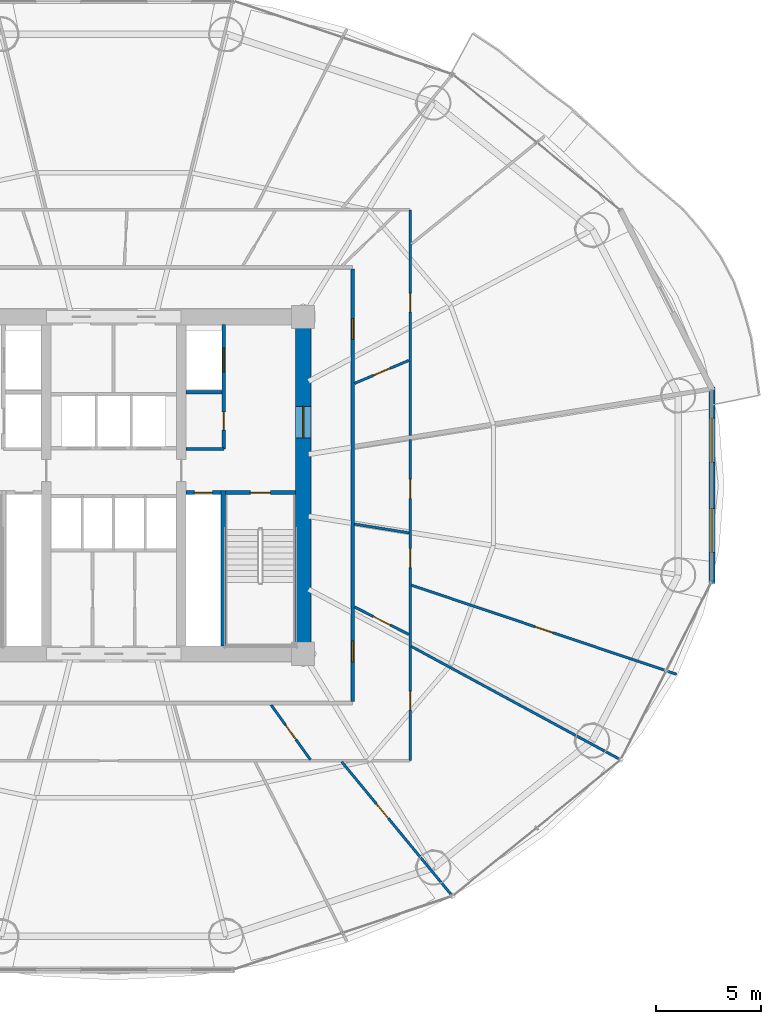
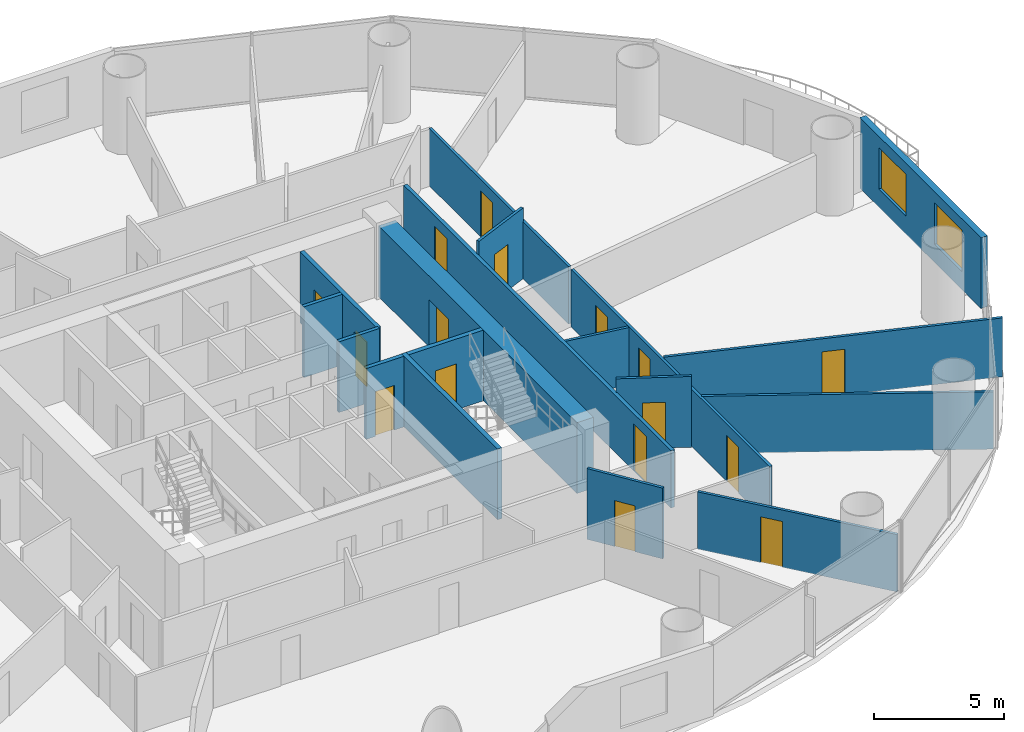
# One storey, part 23 of 28: 18 walls, 16 doors, 2 windows, 18 openings.
"""IFC4 building model written with IfcOpenShell, lengths in metres."""

from ifc_helpers import new_model, si_unit, direction, frame, frame_2d, origin, place, context, subcontext, project, spatial, rectangle, extrude, source, transform, mapped, material, layer, layer_set, type_object, element, fill, save


model = new_model("IFC4")

# Units and contexts
model_context = context("Model", 3, precision=1e-05, world=origin(), true_north=direction((-0.2419218956, 0.970295726276)))
body_context = subcontext(model_context, "Body", "Model", "MODEL_VIEW")
ifc_project = project(units=[si_unit("LENGTHUNIT", "METRE"), si_unit("AREAUNIT", "SQUARE_METRE"), si_unit("VOLUMEUNIT", "CUBIC_METRE"), si_unit("PLANEANGLEUNIT", "RADIAN"), si_unit("MASSUNIT", "GRAM", prefix="KILO")], contexts=[model_context])

# Site, building, storey
site_placement = place(None, origin())
site = spatial("IfcSite", under=ifc_project, at=site_placement, CompositionType="ELEMENT")
building_placement = place(site_placement, origin())
building = spatial("IfcBuilding", under=site, at=building_placement, Name="Cobrevalo Terracotta Tower", CompositionType="ELEMENT")
storey_placement = place(building_placement, frame((0.0, 0.0, 42.0)))
storey = spatial("IfcBuildingStorey", under=building, at=storey_placement, Name="L10", CompositionType="ELEMENT", Elevation=42.0)

# Wall, opening, door
ifc_material_1 = material(Name="Concrete C60", Category="concrete")
ifc_layer_1 = layer(ifc_material_1, 0.75)
ifc_layer_set_1 = layer_set([ifc_layer_1], Name="Concrete C60")
wall_type_1 = type_object("IfcWallType", Name="Core shear wall 750 mm Concrete C60", PredefinedType="SHEAR", material=ifc_layer_set_1)
wall_1_placement = place(storey_placement, frame((47.0, 19.175048828125, 0.0), z_axis=(0.0, 0.0, 1.0), x_axis=(0.0, 1.0, 0.0)))
wall_1 = element("IfcWall", 1, at=wall_1_placement, inside=storey, type_object=wall_type_1, Name="L10 east core shear wall", PredefinedType="SHEAR", context=body_context, shape_type="SweptSolid", body=[
    extrude(rectangle(XDim=15.25, YDim=0.75, at=frame_2d((7.625, 0.0))), origin(), (0.0, 0.0, 1.0), 3.320068359375),
])
opening_1_placement = place(wall_1_placement, frame((9.875, 0.0, 0.0)))
opening_1 = element("IfcOpeningElement", 2, at=opening_1_placement, cuts=wall_1, Name="Opening ID-14", PredefinedType="OPENING", context=body_context, shape_type="SweptSolid", body=[
    extrude(rectangle(XDim=1.5, YDim=2.199951171875, at=frame_2d((0.75, 1.10009765625))), frame((0.0, 0.385009765625, 0.0), z_axis=(0.0, -1.0, 0.0), x_axis=(1.0, 0.0, 0.0)), (0.0, 0.0, 1.0), 0.77001953125),
])
ifc_material_2 = material(Name="Galvanized fire-rated steel", Category="steel")
door_type_1 = type_object("IfcDoorType", Name="Core cross-lobby double fire door 1500x2200 EI 90", OperationType="NOTDEFINED", PredefinedType="DOOR", material=ifc_material_2)
shared_shape_1 = source(origin(), body_context, "Body", "SweptSolid", [
    extrude(rectangle(XDim=1.5, YDim=2.199951171875, at=frame_2d((0.75, 1.10009765625))), frame((0.0, 0.02490234375, 0.0), z_axis=(0.0, -1.0, 0.0), x_axis=(1.0, 0.0, 0.0)), (0.0, 0.0, 1.0), 0.050048828125),
])
door_1_placement = place(opening_1_placement, frame((1.5, 0.0, 0.0), z_axis=(0.0, 0.0, 1.0), x_axis=(-1.0, 0.0, 0.0)))
door_1 = element("IfcDoor", 3, at=door_1_placement, inside=storey, type_object=door_type_1, Name="L10 east firefighting lobby entrance door", OperationType="DOUBLE_DOOR_SINGLE_SWING", OverallHeight=2.199951171875, OverallWidth=1.5, PredefinedType="DOOR", context=body_context, shape_type="MappedRepresentation", body=[
    mapped(shared_shape_1, transform((0.0, 0.0, 0.0), scale=1.0)),
])
fill(opening_1, door_1)

# Walls
ifc_material_3 = material(Name="Gypsum board on steel stud", Category="steel")
ifc_layer_2 = layer(ifc_material_3, 0.159912109375)
ifc_layer_set_2 = layer_set([ifc_layer_2], Name="Gypsum board on steel stud")
wall_type_2 = type_object("IfcWallType", Name="Fire-rated corridor acoustic partition wall 160 mm", PredefinedType="PARTITIONING", material=ifc_layer_set_2)
wall_2_placement = place(storey_placement, frame((41.425048828125, 31.219970703125, 0.0), z_axis=(0.0, 0.0, 1.0), x_axis=(1.0, 0.0, 0.0)))
element("IfcWall", 4, at=wall_2_placement, inside=storey, type_object=wall_type_2, Name="L10 interior partition IW-L10-FF2-M", PredefinedType="PARTITIONING", context=body_context, shape_type="SweptSolid", body=[
    extrude(rectangle(XDim=1.71484375, YDim=0.159912109375, at=frame_2d((0.857421875, 0.0))), origin(), (0.0, 0.0, 1.0), 3.320068359375),
])
wall_3_placement = place(storey_placement, frame((41.425048828125, 28.52001953125, 0.0), z_axis=(0.0, 0.0, 1.0), x_axis=(1.0, 0.0, 0.0)))
element("IfcWall", 5, at=wall_3_placement, inside=storey, type_object=wall_type_2, Name="L10 interior partition IW-L10-FF2-S", PredefinedType="PARTITIONING", context=body_context, shape_type="SweptSolid", body=[
    extrude(rectangle(XDim=1.804931640625, YDim=0.159912109375, at=frame_2d((0.90234375, 0.0))), origin(), (0.0, 0.0, 1.0), 3.320068359375),
])

# Wall, openings, doors
wall_4_placement = place(storey_placement, frame((49.35498046875, 16.52490234375, 0.0), z_axis=(0.0, 0.0, 1.0), x_axis=(0.0, 1.0, 0.0)))
wall_4 = element("IfcWall", 6, at=wall_4_placement, inside=storey, type_object=wall_type_2, Name="L10 interior partition IW-L10-COR-E", PredefinedType="PARTITIONING", context=body_context, shape_type="SweptSolid", body=[
    extrude(rectangle(XDim=20.550048828125, YDim=0.159912109375, at=frame_2d((10.27490234375, 0.0))), origin(), (0.0, 0.0, 1.0), 2.68798828125),
])
opening_2_placement = place(wall_4_placement, frame((17.20654296875, 0.0, 0.0)))
opening_2 = element("IfcOpeningElement", 7, at=opening_2_placement, cuts=wall_4, Name="Opening ID-05", PredefinedType="OPENING", context=body_context, shape_type="SweptSolid", body=[
    extrude(rectangle(XDim=0.97998046875, YDim=2.199951171875, at=frame_2d((0.489990234375, 1.10009765625))), frame((0.0, 0.08984375, 0.0), z_axis=(0.0, -1.0, 0.0), x_axis=(1.0, 0.0, 0.0)), (0.0, 0.0, 1.0), 0.179931640625),
])
opening_3_placement = place(wall_4_placement, frame((1.89208984375, 0.0, 0.0)))
opening_3 = element("IfcOpeningElement", 8, at=opening_3_placement, cuts=wall_4, Name="Opening ID-05", PredefinedType="OPENING", context=body_context, shape_type="SweptSolid", body=[
    extrude(rectangle(XDim=0.97998046875, YDim=2.199951171875, at=frame_2d((0.489990234375, 1.10009765625))), frame((0.0, 0.08984375, 0.0), z_axis=(0.0, -1.0, 0.0), x_axis=(1.0, 0.0, 0.0)), (0.0, 0.0, 1.0), 0.179931640625),
])
ifc_material_4 = material(Name="Solid hardwood timber", Category="wood")
door_type_2 = type_object("IfcDoorType", Name="Residence entrance fire-rated acoustic timber door 980x2200 EI 60", OperationType="NOTDEFINED", PredefinedType="DOOR", material=ifc_material_4)
shared_shape_2 = source(origin(), body_context, "Body", "SweptSolid", [
    extrude(rectangle(XDim=0.97998046875, YDim=2.199951171875, at=frame_2d((0.489990234375, 1.10009765625))), frame((0.0, 0.02490234375, 0.0), z_axis=(0.0, -1.0, 0.0), x_axis=(1.0, 0.0, 0.0)), (0.0, 0.0, 1.0), 0.050048828125),
])
door_2_placement = place(opening_2_placement, frame((0.97998046875, 0.0, 0.0), z_axis=(0.0, 0.0, 1.0), x_axis=(-1.0, 0.0, 0.0)))
door_2 = element("IfcDoor", 9, at=door_2_placement, inside=storey, type_object=door_type_2, Name="Flat L10A fire-rated apartment entrance door", OperationType="SINGLE_SWING_LEFT", OverallHeight=2.199951171875, OverallWidth=0.97998046875, PredefinedType="DOOR", context=body_context, shape_type="MappedRepresentation", body=[
    mapped(shared_shape_2, transform((0.0, 0.0, 0.0), scale=1.0)),
])
fill(opening_2, door_2)
door_3_placement = place(opening_3_placement, frame((0.97998046875, 0.0, 0.0), z_axis=(0.0, 0.0, 1.0), x_axis=(-1.0, 0.0, 0.0)))
door_3 = element("IfcDoor", 10, at=door_3_placement, inside=storey, type_object=door_type_2, Name="Flat L10C fire-rated apartment entrance door", OperationType="SINGLE_SWING_LEFT", OverallHeight=2.199951171875, OverallWidth=0.97998046875, PredefinedType="DOOR", context=body_context, shape_type="MappedRepresentation", body=[
    mapped(shared_shape_2, transform((0.0, 0.0, 0.0), scale=1.0)),
])
fill(opening_3, door_3)

# Wall, opening, door
ifc_layer_3 = layer(ifc_material_3, 0.179931640625)
ifc_layer_set_3 = layer_set([ifc_layer_3], Name="Gypsum board on steel stud")
wall_type_3 = type_object("IfcWallType", Name="Fire-rated shaft & lobby acoustic partition wall 180 mm", PredefinedType="PARTITIONING", material=ifc_layer_set_3)
wall_5_placement = place(storey_placement, frame((41.425048828125, 26.449951171875, 0.0), z_axis=(0.0, 0.0, 1.0), x_axis=(1.0, 0.0, 0.0)))
wall_5 = element("IfcWall", 11, at=wall_5_placement, inside=storey, type_object=wall_type_3, Name="L10 interior partition IW-L10-RSE-N", PredefinedType="PARTITIONING", context=body_context, shape_type="SweptSolid", body=[
    extrude(rectangle(XDim=1.675048828125, YDim=0.179931640625, at=frame_2d((0.83740234375, 0.0))), origin(), (0.0, 0.0, 1.0), 3.320068359375),
])
opening_4_placement = place(wall_5_placement, frame((0.41259765625, 0.0, 0.0)))
opening_4 = element("IfcOpeningElement", 12, at=opening_4_placement, cuts=wall_5, Name="Opening ID-22", PredefinedType="OPENING", context=body_context, shape_type="SweptSolid", body=[
    extrude(rectangle(XDim=0.85009765625, YDim=2.10009765625, at=frame_2d((0.425048828125, 1.050048828125))), frame((0.0, 0.10009765625, 0.0), z_axis=(0.0, -1.0, 0.0), x_axis=(1.0, 0.0, 0.0)), (0.0, 0.0, 1.0), 0.199951171875),
])
ifc_material_5 = material(Name="Powder-coated steel", Category="steel")
door_type_3 = type_object("IfcDoorType", Name="Riser shaft & meter closet fire access door 850x2100 EI 60", OperationType="NOTDEFINED", PredefinedType="DOOR", material=ifc_material_5)
shared_shape_3 = source(origin(), body_context, "Body", "SweptSolid", [
    extrude(rectangle(XDim=0.85009765625, YDim=2.10009765625, at=frame_2d((0.425048828125, 1.050048828125))), frame((0.0, 0.02490234375, 0.0), z_axis=(0.0, -1.0, 0.0), x_axis=(1.0, 0.0, 0.0)), (0.0, 0.0, 1.0), 0.050048828125),
])
door_4_placement = place(opening_4_placement, origin())
door_4 = element("IfcDoor", 13, at=door_4_placement, inside=storey, type_object=door_type_3, Name="L10 riser access door RSE", OperationType="SINGLE_SWING_RIGHT", OverallHeight=2.10009765625, OverallWidth=0.85009765625, PredefinedType="DOOR", context=body_context, shape_type="MappedRepresentation", body=[
    mapped(shared_shape_3, transform((0.0, 0.0, 0.0), scale=1.0)),
])
fill(opening_4, door_4)

# Wall, openings, doors
wall_6_placement = place(storey_placement, frame((43.22998046875, 28.52001953125, 0.0), z_axis=(0.0, 0.0, 1.0), x_axis=(0.0, 1.0, 0.0)))
wall_6 = element("IfcWall", 14, at=wall_6_placement, inside=storey, type_object=wall_type_3, Name="L10 interior partition IW-L10-FF2-E", PredefinedType="PARTITIONING", context=body_context, shape_type="SweptSolid", body=[
    extrude(rectangle(XDim=5.905029296875, YDim=0.179931640625, at=frame_2d((2.95263671875, 0.0))), origin(), (0.0, 0.0, 1.0), 3.320068359375),
])
opening_5_placement = place(wall_6_placement, frame((0.905029296875, 0.0, 0.0)))
opening_5 = element("IfcOpeningElement", 15, at=opening_5_placement, cuts=wall_6, Name="Opening ID-22", PredefinedType="OPENING", context=body_context, shape_type="SweptSolid", body=[
    extrude(rectangle(XDim=0.85009765625, YDim=2.10009765625, at=frame_2d((0.425048828125, 1.050048828125))), frame((0.0, 0.10009765625, 0.0), z_axis=(0.0, -1.0, 0.0), x_axis=(1.0, 0.0, 0.0)), (0.0, 0.0, 1.0), 0.199951171875),
])
opening_6_placement = place(wall_6_placement, frame((3.655029296875, 0.0, 0.0)))
opening_6 = element("IfcOpeningElement", 16, at=opening_6_placement, cuts=wall_6, Name="Opening LD-02", PredefinedType="OPENING", context=body_context, shape_type="SweptSolid", body=[
    extrude(rectangle(XDim=1.14990234375, YDim=2.199951171875, at=frame_2d((0.574951171875, 1.10009765625))), frame((0.0, 0.10009765625, 0.0), z_axis=(0.0, -1.0, 0.0), x_axis=(1.0, 0.0, 0.0)), (0.0, 0.0, 1.0), 0.199951171875),
])
door_5_placement = place(opening_5_placement, frame((0.85009765625, 0.0, 0.0), z_axis=(0.0, 0.0, 1.0), x_axis=(-1.0, 0.0, 0.0)))
door_5 = element("IfcDoor", 17, at=door_5_placement, inside=storey, type_object=door_type_3, Name="L10 housekeeping store door", OperationType="SINGLE_SWING_RIGHT", OverallHeight=2.10009765625, OverallWidth=0.85009765625, PredefinedType="DOOR", context=body_context, shape_type="MappedRepresentation", body=[
    mapped(shared_shape_3, transform((0.0, 0.0, 0.0), scale=1.0)),
])
fill(opening_5, door_5)
ifc_material_6 = material(Name="Brushed stainless steel", Category="steel")
door_type_4 = type_object("IfcDoorType", Name="Firefighting lift landing bi-parting sliding door 1150x2200 EI 120", OperationType="DOUBLE_DOOR_SLIDING", PredefinedType="DOOR", material=ifc_material_6)
shared_shape_4 = source(origin(), body_context, "Body", "SweptSolid", [
    extrude(rectangle(XDim=1.14990234375, YDim=2.199951171875, at=frame_2d((0.574951171875, 1.10009765625))), frame((0.0, 0.02490234375, 0.0), z_axis=(0.0, -1.0, 0.0), x_axis=(1.0, 0.0, 0.0)), (0.0, 0.0, 1.0), 0.050048828125),
])
door_6_placement = place(opening_6_placement, origin())
door_6 = element("IfcDoor", 18, at=door_6_placement, inside=storey, type_object=door_type_4, Name="L10 lift landing door FF-2", OperationType="DOUBLE_DOOR_SLIDING", OverallHeight=2.199951171875, OverallWidth=1.14990234375, PredefinedType="DOOR", context=body_context, shape_type="MappedRepresentation", body=[
    mapped(shared_shape_4, transform((0.0, 0.0, 0.0), scale=1.0)),
])
fill(opening_6, door_6)

# Wall, openings, windows
ifc_material_7 = material(Name="Autoclaved aerated concrete block", Category="concrete")
ifc_layer_4 = layer(ifc_material_7, 0.280029296875)
ifc_layer_set_4 = layer_set([ifc_layer_4], Name="Autoclaved aerated concrete block")
wall_type_4 = type_object("IfcWallType", Name="Insulated tower spandrel & pier wall 280 mm with terracotta rainscreen", PredefinedType="SOLIDWALL", material=ifc_layer_set_4)
wall_7_placement = place(storey_placement, frame((66.413330078125, 22.14111328125, 0.0), z_axis=(0.0, 0.0, 1.0), x_axis=(0.0, 1.0, 0.0)))
wall_7 = element("IfcWall", 19, at=wall_7_placement, inside=storey, type_object=wall_type_4, Name="L10 terracotta rainscreen pier wall S16", PredefinedType="SOLIDWALL", context=body_context, shape_type="SweptSolid", body=[
    extrude(rectangle(XDim=9.317626953125, YDim=0.280029296875, at=frame_2d((4.65869140625, 0.0))), origin(), (0.0, 0.0, 1.0), 3.320068359375),
])
opening_7_placement = place(wall_7_placement, frame((1.4658203125, 0.0, 0.85009765625)))
opening_7 = element("IfcOpeningElement", 20, at=opening_7_placement, cuts=wall_7, Name="Opening WN-10", PredefinedType="OPENING", context=body_context, shape_type="SweptSolid", body=[
    extrude(rectangle(XDim=2.10009765625, YDim=1.949951171875, at=frame_2d((1.050048828125, 0.97509765625))), frame((0.0, 0.14990234375, 0.0), z_axis=(0.0, -1.0, 0.0), x_axis=(1.0, 0.0, 0.0)), (0.0, 0.0, 1.0), 0.300048828125),
])
opening_8_placement = place(wall_7_placement, frame((5.751708984375, 0.0, 0.85009765625)))
opening_8 = element("IfcOpeningElement", 21, at=opening_8_placement, cuts=wall_7, Name="Opening WN-10", PredefinedType="OPENING", context=body_context, shape_type="SweptSolid", body=[
    extrude(rectangle(XDim=2.10009765625, YDim=1.949951171875, at=frame_2d((1.050048828125, 0.97509765625))), frame((0.0, 0.14990234375, 0.0), z_axis=(0.0, -1.0, 0.0), x_axis=(1.0, 0.0, 0.0)), (0.0, 0.0, 1.0), 0.300048828125),
])
ifc_material_8 = material(Name="Solar-control low-E double glazing", Category="glass")
window_type = type_object("IfcWindowType", Name="Wide panoramic low-E aluminium window 2100x1950", PartitioningType="SINGLE_PANEL", PredefinedType="WINDOW", material=ifc_material_8)
shared_shape_5 = source(origin(), body_context, "Body", "SweptSolid", [
    extrude(rectangle(XDim=2.10009765625, YDim=1.949951171875, at=frame_2d((1.050048828125, 0.97509765625))), frame((0.0, 0.030029296875, 0.0), z_axis=(0.0, -1.0, 0.0), x_axis=(1.0, 0.0, 0.0)), (0.0, 0.0, 1.0), 0.06005859375),
])
window_1_placement = place(opening_7_placement, origin())
window_1 = element("IfcWindow", 22, at=window_1_placement, inside=storey, type_object=window_type, Name="L10 suite window S16A", OverallHeight=1.949951171875, OverallWidth=2.10009765625, PartitioningType="SINGLE_PANEL", PredefinedType="WINDOW", context=body_context, shape_type="MappedRepresentation", body=[
    mapped(shared_shape_5, transform((0.0, 0.0, 0.0), scale=1.0)),
])
fill(opening_7, window_1)
window_2_placement = place(opening_8_placement, origin())
window_2 = element("IfcWindow", 23, at=window_2_placement, inside=storey, type_object=window_type, Name="L10 suite window S16B", OverallHeight=1.949951171875, OverallWidth=2.10009765625, PartitioningType="SINGLE_PANEL", PredefinedType="WINDOW", context=body_context, shape_type="MappedRepresentation", body=[
    mapped(shared_shape_5, transform((0.0, 0.0, 0.0), scale=1.0)),
])
fill(opening_8, window_2)

# Wall, opening, door
ifc_layer_5 = layer(ifc_material_3, 0.1201171875)
ifc_layer_set_5 = layer_set([ifc_layer_5], Name="Gypsum board on steel stud")
wall_type_5 = type_object("IfcWallType", Name="Residential internal acoustic stud partition 120 mm", PredefinedType="PARTITIONING", material=ifc_layer_set_5)
wall_8_placement = place(storey_placement, frame((52.0849609375, 39.885009765625, 0.0), z_axis=(0.0, 0.0, 1.0), x_axis=(0.0, -1.0, 0.0)))
wall_8 = element("IfcWall", 24, at=wall_8_placement, inside=storey, type_object=wall_type_5, Name="L10 interior partition IW-L10-U1-RING1_0", PredefinedType="PARTITIONING", context=body_context, shape_type="SweptSolid", body=[
    extrude(rectangle(XDim=10.712646484375, YDim=0.1201171875, at=frame_2d((5.3564453125, 0.0))), origin(), (0.0, 0.0, 1.0), 2.68798828125),
])
opening_9_placement = place(wall_8_placement, frame((3.96533203125, 0.0, 0.0)))
opening_9 = element("IfcOpeningElement", 25, at=opening_9_placement, cuts=wall_8, Name="Opening ID-12", PredefinedType="OPENING", context=body_context, shape_type="SweptSolid", body=[
    extrude(rectangle(XDim=0.89990234375, YDim=2.14990234375, at=frame_2d((0.449951171875, 1.074951171875))), frame((0.0, 0.070068359375, 0.0), z_axis=(0.0, -1.0, 0.0), x_axis=(1.0, 0.0, 0.0)), (0.0, 0.0, 1.0), 0.14013671875),
])
ifc_material_9 = material(Name="Engineered timber", Category="wood")
door_type_5 = type_object("IfcDoorType", Name="Internal residence & suite timber door 900x2150", OperationType="NOTDEFINED", PredefinedType="DOOR", material=ifc_material_9)
shared_shape_6 = source(origin(), body_context, "Body", "SweptSolid", [
    extrude(rectangle(XDim=0.89990234375, YDim=2.14990234375, at=frame_2d((0.449951171875, 1.074951171875))), frame((0.0, 0.02490234375, 0.0), z_axis=(0.0, -1.0, 0.0), x_axis=(1.0, 0.0, 0.0)), (0.0, 0.0, 1.0), 0.050048828125),
])
door_7_placement = place(opening_9_placement, origin())
door_7 = element("IfcDoor", 26, at=door_7_placement, inside=storey, type_object=door_type_5, Name="Flat L10A Penthouse Living and Dining Room internal door", OperationType="SINGLE_SWING_LEFT", OverallHeight=2.14990234375, OverallWidth=0.89990234375, PredefinedType="DOOR", context=body_context, shape_type="MappedRepresentation", body=[
    mapped(shared_shape_6, transform((0.0, 0.0, 0.0), scale=1.0)),
])
fill(opening_9, door_7)

wall_9_placement = place(storey_placement, frame((49.43505859375, 31.636474609375, 0.0), z_axis=(0.0, 0.0, 1.0), x_axis=(0.920969644836, 0.389634332792, 0.0)))
wall_9 = element("IfcWall", 27, at=wall_9_placement, inside=storey, type_object=wall_type_5, Name="L10 interior partition IW-L10-U1-IRAD1", PredefinedType="PARTITIONING", context=body_context, shape_type="SweptSolid", body=[
    extrude(rectangle(XDim=2.815185546875, YDim=0.1201171875, at=frame_2d((1.40771484375, 0.0))), origin(), (0.0, 0.0, 1.0), 3.320068359375),
])
opening_10_placement = place(wall_9_placement, frame((0.9775390625, 0.0, 0.0)))
opening_10 = element("IfcOpeningElement", 28, at=opening_10_placement, cuts=wall_9, Name="Opening ID-19", PredefinedType="OPENING", context=body_context, shape_type="SweptSolid", body=[
    extrude(rectangle(XDim=0.860107421875, YDim=2.14990234375, at=frame_2d((0.43017578125, 1.074951171875))), frame((0.0, 0.070068359375, 0.0), z_axis=(0.0, -1.0, 0.0), x_axis=(1.0, 0.0, 0.0)), (0.0, 0.0, 1.0), 0.14013671875),
])
ifc_material_10 = material(Name="Moisture-sealed timber", Category="wood")
door_type_6 = type_object("IfcDoorType", Name="Suite bathroom internal timber door 860x2150", OperationType="NOTDEFINED", PredefinedType="DOOR", material=ifc_material_10)
shared_shape_7 = source(origin(), body_context, "Body", "SweptSolid", [
    extrude(rectangle(XDim=0.860107421875, YDim=2.14990234375, at=frame_2d((0.43017578125, 1.074951171875))), frame((0.0, 0.02490234375, 0.0), z_axis=(0.0, -1.0, 0.0), x_axis=(1.0, 0.0, 0.0)), (0.0, 0.0, 1.0), 0.050048828125),
])
door_8_placement = place(opening_10_placement, frame((0.860107421875, 0.0, 0.0), z_axis=(0.0, 0.0, 1.0), x_axis=(-1.0, 0.0, 0.0)))
door_8 = element("IfcDoor", 29, at=door_8_placement, inside=storey, type_object=door_type_6, Name="Flat L10A Primary Bathroom internal door", OperationType="SINGLE_SWING_RIGHT", OverallHeight=2.14990234375, OverallWidth=0.860107421875, PredefinedType="DOOR", context=body_context, shape_type="MappedRepresentation", body=[
    mapped(shared_shape_7, transform((0.0, 0.0, 0.0), scale=1.0)),
])
fill(opening_10, door_8)

# Wall, openings, doors
wall_10_placement = place(storey_placement, frame((52.0849609375, 28.96826171875, 0.0), z_axis=(0.0, 0.0, 1.0), x_axis=(0.0, -1.0, 0.0)))
wall_10 = element("IfcWall", 30, at=wall_10_placement, inside=storey, type_object=wall_type_5, Name="L10 interior partition IW-L10-U3-RING0_0", PredefinedType="PARTITIONING", context=body_context, shape_type="SweptSolid", body=[
    extrude(rectangle(XDim=15.253173828125, YDim=0.1201171875, at=frame_2d((7.62646484375, 0.0))), origin(), (0.0, 0.0, 1.0), 2.68798828125),
])
opening_11_placement = place(wall_10_placement, frame((11.9541015625, 0.0, 0.0)))
opening_11 = element("IfcOpeningElement", 31, at=opening_11_placement, cuts=wall_10, Name="Opening ID-12", PredefinedType="OPENING", context=body_context, shape_type="SweptSolid", body=[
    extrude(rectangle(XDim=0.89990234375, YDim=2.14990234375, at=frame_2d((0.449951171875, 1.074951171875))), frame((0.0, 0.070068359375, 0.0), z_axis=(0.0, -1.0, 0.0), x_axis=(1.0, 0.0, 0.0)), (0.0, 0.0, 1.0), 0.14013671875),
])
opening_12_placement = place(wall_10_placement, frame((5.182373046875, 0.0, 0.0)))
opening_12 = element("IfcOpeningElement", 32, at=opening_12_placement, cuts=wall_10, Name="Opening ID-12", PredefinedType="OPENING", context=body_context, shape_type="SweptSolid", body=[
    extrude(rectangle(XDim=0.89990234375, YDim=2.14990234375, at=frame_2d((0.449951171875, 1.074951171875))), frame((0.0, 0.070068359375, 0.0), z_axis=(0.0, -1.0, 0.0), x_axis=(1.0, 0.0, 0.0)), (0.0, 0.0, 1.0), 0.14013671875),
])
opening_13_placement = place(wall_10_placement, frame((1.88916015625, 0.0, 0.0)))
opening_13 = element("IfcOpeningElement", 33, at=opening_13_placement, cuts=wall_10, Name="Opening ID-12", PredefinedType="OPENING", context=body_context, shape_type="SweptSolid", body=[
    extrude(rectangle(XDim=0.89990234375, YDim=2.14990234375, at=frame_2d((0.449951171875, 1.074951171875))), frame((0.0, 0.070068359375, 0.0), z_axis=(0.0, -1.0, 0.0), x_axis=(1.0, 0.0, 0.0)), (0.0, 0.0, 1.0), 0.14013671875),
])
door_9_placement = place(opening_11_placement, origin())
door_9 = element("IfcDoor", 34, at=door_9_placement, inside=storey, type_object=door_type_5, Name="Flat L10C Penthouse Family Lounge internal door", OperationType="SINGLE_SWING_RIGHT", OverallHeight=2.14990234375, OverallWidth=0.89990234375, PredefinedType="DOOR", context=body_context, shape_type="MappedRepresentation", body=[
    mapped(shared_shape_6, transform((0.0, 0.0, 0.0), scale=1.0)),
])
fill(opening_11, door_9)
door_10_placement = place(opening_12_placement, origin())
door_10 = element("IfcDoor", 35, at=door_10_placement, inside=storey, type_object=door_type_5, Name="Flat L10C Penthouse Family Lounge internal door", OperationType="SINGLE_SWING_LEFT", OverallHeight=2.14990234375, OverallWidth=0.89990234375, PredefinedType="DOOR", context=body_context, shape_type="MappedRepresentation", body=[
    mapped(shared_shape_6, transform((0.0, 0.0, 0.0), scale=1.0)),
])
fill(opening_12, door_10)
door_11_placement = place(opening_13_placement, frame((0.89990234375, 0.0, 0.0), z_axis=(0.0, 0.0, 1.0), x_axis=(-1.0, 0.0, 0.0)))
door_11 = element("IfcDoor", 36, at=door_11_placement, inside=storey, type_object=door_type_5, Name="Flat L10C Home Office Study internal door", OperationType="SINGLE_SWING_RIGHT", OverallHeight=2.14990234375, OverallWidth=0.89990234375, PredefinedType="DOOR", context=body_context, shape_type="MappedRepresentation", body=[
    mapped(shared_shape_6, transform((0.0, 0.0, 0.0), scale=1.0)),
])
fill(opening_13, door_11)

# Wall, opening, door
wall_11_placement = place(storey_placement, frame((48.828857421875, 13.667236328125, 0.0), z_axis=(0.0, 0.0, 1.0), x_axis=(0.636177533893, -0.771542704826, 0.0)))
wall_11 = element("IfcWall", 37, at=wall_11_placement, inside=storey, type_object=wall_type_5, Name="L10 interior partition IW-L10-U3-ORAD2M1", PredefinedType="PARTITIONING", context=body_context, shape_type="SweptSolid", body=[
    extrude(rectangle(XDim=8.1865234375, YDim=0.1201171875, at=frame_2d((4.09326171875, 0.0))), origin(), (0.0, 0.0, 1.0), 2.68798828125),
])
opening_14_placement = place(wall_11_placement, frame((2.584228515625, 0.0, 0.0)))
opening_14 = element("IfcOpeningElement", 38, at=opening_14_placement, cuts=wall_11, Name="Opening ID-12", PredefinedType="OPENING", context=body_context, shape_type="SweptSolid", body=[
    extrude(rectangle(XDim=0.89990234375, YDim=2.14990234375, at=frame_2d((0.449951171875, 1.074951171875))), frame((0.0, 0.070068359375, 0.0), z_axis=(0.0, -1.0, 0.0), x_axis=(1.0, 0.0, 0.0)), (0.0, 0.0, 1.0), 0.14013671875),
])
door_12_placement = place(opening_14_placement, frame((0.89990234375, 0.0, 0.0), z_axis=(0.0, 0.0, 1.0), x_axis=(-1.0, 0.0, 0.0)))
door_12 = element("IfcDoor", 39, at=door_12_placement, inside=storey, type_object=door_type_5, Name="Flat L10C Master Bedroom internal door", OperationType="SINGLE_SWING_LEFT", OverallHeight=2.14990234375, OverallWidth=0.89990234375, PredefinedType="DOOR", context=body_context, shape_type="MappedRepresentation", body=[
    mapped(shared_shape_6, transform((0.0, 0.0, 0.0), scale=1.0)),
])
fill(opening_14, door_12)

# Wall
wall_12_placement = place(storey_placement, frame((52.139404296875, 19.14404296875, 0.0), z_axis=(0.0, 0.0, 1.0), x_axis=(0.879372452045, -0.476134529922, 0.0)))
element("IfcWall", 40, at=wall_12_placement, inside=storey, type_object=wall_type_5, Name="L10 interior partition IW-L10-U3-ORAD2M2", PredefinedType="PARTITIONING", context=body_context, shape_type="SweptSolid", body=[
    extrude(rectangle(XDim=11.219482421875, YDim=0.1201171875, at=frame_2d((5.60986328125, 0.0))), origin(), (0.0, 0.0, 1.0), 2.68798828125),
])

# Wall, opening, door
wall_13_placement = place(storey_placement, frame((52.143798828125, 22.052490234375, 0.0), z_axis=(0.0, 0.0, 1.0), x_axis=(0.948023034133, -0.318201707653, 0.0)))
wall_13 = element("IfcWall", 41, at=wall_13_placement, inside=storey, type_object=wall_type_5, Name="L10 interior partition IW-L10-U3-ORAD2", PredefinedType="PARTITIONING", context=body_context, shape_type="SweptSolid", body=[
    extrude(rectangle(XDim=13.27880859375, YDim=0.1201171875, at=frame_2d((6.639404296875, 0.0))), origin(), (0.0, 0.0, 1.0), 2.761962890625),
])
opening_15_placement = place(wall_13_placement, frame((6.189453125, 0.0, 0.0)))
opening_15 = element("IfcOpeningElement", 42, at=opening_15_placement, cuts=wall_13, Name="Opening ID-12", PredefinedType="OPENING", context=body_context, shape_type="SweptSolid", body=[
    extrude(rectangle(XDim=0.89990234375, YDim=2.14990234375, at=frame_2d((0.449951171875, 1.074951171875))), frame((0.0, 0.070068359375, 0.0), z_axis=(0.0, -1.0, 0.0), x_axis=(1.0, 0.0, 0.0)), (0.0, 0.0, 1.0), 0.14013671875),
])
door_13_placement = place(opening_15_placement, frame((0.89990234375, 0.0, 0.0), z_axis=(0.0, 0.0, 1.0), x_axis=(-1.0, 0.0, 0.0)))
door_13 = element("IfcDoor", 43, at=door_13_placement, inside=storey, type_object=door_type_5, Name="Flat L10C Principal Guest Bedroom internal door", OperationType="SINGLE_SWING_RIGHT", OverallHeight=2.14990234375, OverallWidth=0.89990234375, PredefinedType="DOOR", context=body_context, shape_type="MappedRepresentation", body=[
    mapped(shared_shape_6, transform((0.0, 0.0, 0.0), scale=1.0)),
])
fill(opening_15, door_13)

wall_14_placement = place(storey_placement, frame((45.479736328125, 16.364990234375, 0.0), z_axis=(0.0, 0.0, 1.0), x_axis=(0.582566008831, -0.812783393872, 0.0)))
wall_14 = element("IfcWall", 44, at=wall_14_placement, inside=storey, type_object=wall_type_5, Name="L10 interior partition IW-L10-U3-IRAD3", PredefinedType="PARTITIONING", context=body_context, shape_type="SweptSolid", body=[
    extrude(rectangle(XDim=3.198486328125, YDim=0.1201171875, at=frame_2d((1.59912109375, 0.0))), origin(), (0.0, 0.0, 1.0), 3.320068359375),
])
opening_16_placement = place(wall_14_placement, frame((1.169189453125, 0.0, 0.0)))
opening_16 = element("IfcOpeningElement", 45, at=opening_16_placement, cuts=wall_14, Name="Opening ID-19", PredefinedType="OPENING", context=body_context, shape_type="SweptSolid", body=[
    extrude(rectangle(XDim=0.860107421875, YDim=2.14990234375, at=frame_2d((0.43017578125, 1.074951171875))), frame((0.0, 0.070068359375, 0.0), z_axis=(0.0, -1.0, 0.0), x_axis=(1.0, 0.0, 0.0)), (0.0, 0.0, 1.0), 0.14013671875),
])
door_14_placement = place(opening_16_placement, frame((0.860107421875, 0.0, 0.0), z_axis=(0.0, 0.0, 1.0), x_axis=(-1.0, 0.0, 0.0)))
door_14 = element("IfcDoor", 46, at=door_14_placement, inside=storey, type_object=door_type_6, Name="Flat L10C Primary Bathroom internal door", OperationType="SINGLE_SWING_RIGHT", OverallHeight=2.14990234375, OverallWidth=0.860107421875, PredefinedType="DOOR", context=body_context, shape_type="MappedRepresentation", body=[
    mapped(shared_shape_7, transform((0.0, 0.0, 0.0), scale=1.0)),
])
fill(opening_16, door_14)

wall_15_placement = place(storey_placement, frame((49.43505859375, 21.02099609375, 0.0), z_axis=(0.0, 0.0, 1.0), x_axis=(0.892504324967, -0.451038834155, 0.0)))
wall_15 = element("IfcWall", 47, at=wall_15_placement, inside=storey, type_object=wall_type_5, Name="L10 interior partition IW-L10-U3-IRAD4", PredefinedType="PARTITIONING", context=body_context, shape_type="SweptSolid", body=[
    extrude(rectangle(XDim=2.9072265625, YDim=0.1201171875, at=frame_2d((1.45361328125, 0.0))), origin(), (0.0, 0.0, 1.0), 3.320068359375),
])
opening_17_placement = place(wall_15_placement, frame((1.003662109375, 0.0, 0.0)))
opening_17 = element("IfcOpeningElement", 48, at=opening_17_placement, cuts=wall_15, Name="Opening ID-12", PredefinedType="OPENING", context=body_context, shape_type="SweptSolid", body=[
    extrude(rectangle(XDim=0.89990234375, YDim=2.14990234375, at=frame_2d((0.449951171875, 1.074951171875))), frame((0.0, 0.070068359375, 0.0), z_axis=(0.0, -1.0, 0.0), x_axis=(1.0, 0.0, 0.0)), (0.0, 0.0, 1.0), 0.14013671875),
])
door_15_placement = place(opening_17_placement, origin())
door_15 = element("IfcDoor", 49, at=door_15_placement, inside=storey, type_object=door_type_5, Name="Flat L10C Kitchen internal door", OperationType="SINGLE_SWING_LEFT", OverallHeight=2.14990234375, OverallWidth=0.89990234375, PredefinedType="DOOR", context=body_context, shape_type="MappedRepresentation", body=[
    mapped(shared_shape_6, transform((0.0, 0.0, 0.0), scale=1.0)),
])
fill(opening_17, door_15)

# Walls
wall_16_placement = place(storey_placement, frame((49.43505859375, 24.956787109375, 0.0), z_axis=(0.0, 0.0, 1.0), x_axis=(0.987258113076, -0.159127050386, 0.0)))
element("IfcWall", 50, at=wall_16_placement, inside=storey, type_object=wall_type_5, Name="L10 interior partition IW-L10-U3-IRAD5", PredefinedType="PARTITIONING", context=body_context, shape_type="SweptSolid", body=[
    extrude(rectangle(XDim=2.6220703125, YDim=0.1201171875, at=frame_2d((1.31103515625, 0.0))), origin(), (0.0, 0.0, 1.0), 2.68798828125),
])
ifc_material_11 = material(Name="Concrete C50", Category="concrete")
ifc_layer_6 = layer(ifc_material_11, 0.199951171875)
ifc_layer_set_6 = layer_set([ifc_layer_6], Name="Concrete C50")
wall_type_6 = type_object("IfcWallType", Name="Structural core & podium stair-shaft RC wall 200 mm Concrete C50", PredefinedType="SOLIDWALL", material=ifc_layer_set_6)
wall_17_placement = place(storey_placement, frame((43.205078125, 19.175048828125, 0.0), z_axis=(0.0, 0.0, 1.0), x_axis=(0.0, 1.0, 0.0)))
element("IfcWall", 51, at=wall_17_placement, inside=storey, type_object=wall_type_6, Name="L10 ST-2 west structural shaft wall", PredefinedType="SOLIDWALL", context=body_context, shape_type="SweptSolid", body=[
    extrude(rectangle(XDim=7.375, YDim=0.199951171875, at=frame_2d((3.6875, 0.0))), origin(), (0.0, 0.0, 1.0), 3.320068359375),
])

# Wall, opening, door
wall_18_placement = place(storey_placement, frame((43.304931640625, 26.449951171875, 0.0), z_axis=(0.0, 0.0, 1.0), x_axis=(1.0, 0.0, 0.0)))
wall_18 = element("IfcWall", 52, at=wall_18_placement, inside=storey, type_object=wall_type_6, Name="L10 ST-2 north structural shaft wall", PredefinedType="SOLIDWALL", context=body_context, shape_type="SweptSolid", body=[
    extrude(rectangle(XDim=3.320068359375, YDim=0.199951171875, at=frame_2d((1.66015625, 0.0))), origin(), (0.0, 0.0, 1.0), 3.320068359375),
])
opening_18_placement = place(wall_18_placement, frame((1.18505859375, 0.0, 0.0)))
opening_18 = element("IfcOpeningElement", 53, at=opening_18_placement, cuts=wall_18, Name="Opening ID-04", PredefinedType="OPENING", context=body_context, shape_type="SweptSolid", body=[
    extrude(rectangle(XDim=0.949951171875, YDim=2.14990234375, at=frame_2d((0.47509765625, 1.074951171875))), frame((0.0, 0.10986328125, 0.0), z_axis=(0.0, -1.0, 0.0), x_axis=(1.0, 0.0, 0.0)), (0.0, 0.0, 1.0), 0.219970703125),
])
door_type_7 = type_object("IfcDoorType", Name="Stair & firefighting lobby fire door 950x2150 EI 90", OperationType="NOTDEFINED", PredefinedType="DOOR", material=ifc_material_2)
shared_shape_8 = source(origin(), body_context, "Body", "SweptSolid", [
    extrude(rectangle(XDim=0.949951171875, YDim=2.14990234375, at=frame_2d((0.47509765625, 1.074951171875))), frame((0.0, 0.02490234375, 0.0), z_axis=(0.0, -1.0, 0.0), x_axis=(1.0, 0.0, 0.0)), (0.0, 0.0, 1.0), 0.050048828125),
])
door_16_placement = place(opening_18_placement, frame((0.949951171875, 0.0, 0.0), z_axis=(0.0, 0.0, 1.0), x_axis=(-1.0, 0.0, 0.0)))
door_16 = element("IfcDoor", 54, at=door_16_placement, inside=storey, type_object=door_type_7, Name="L10 protected stair ST2 fire door", OperationType="SINGLE_SWING_RIGHT", OverallHeight=2.14990234375, OverallWidth=0.949951171875, PredefinedType="DOOR", context=body_context, shape_type="MappedRepresentation", body=[
    mapped(shared_shape_8, transform((0.0, 0.0, 0.0), scale=1.0)),
])
fill(opening_18, door_16)

save(model, "model.ifc")
